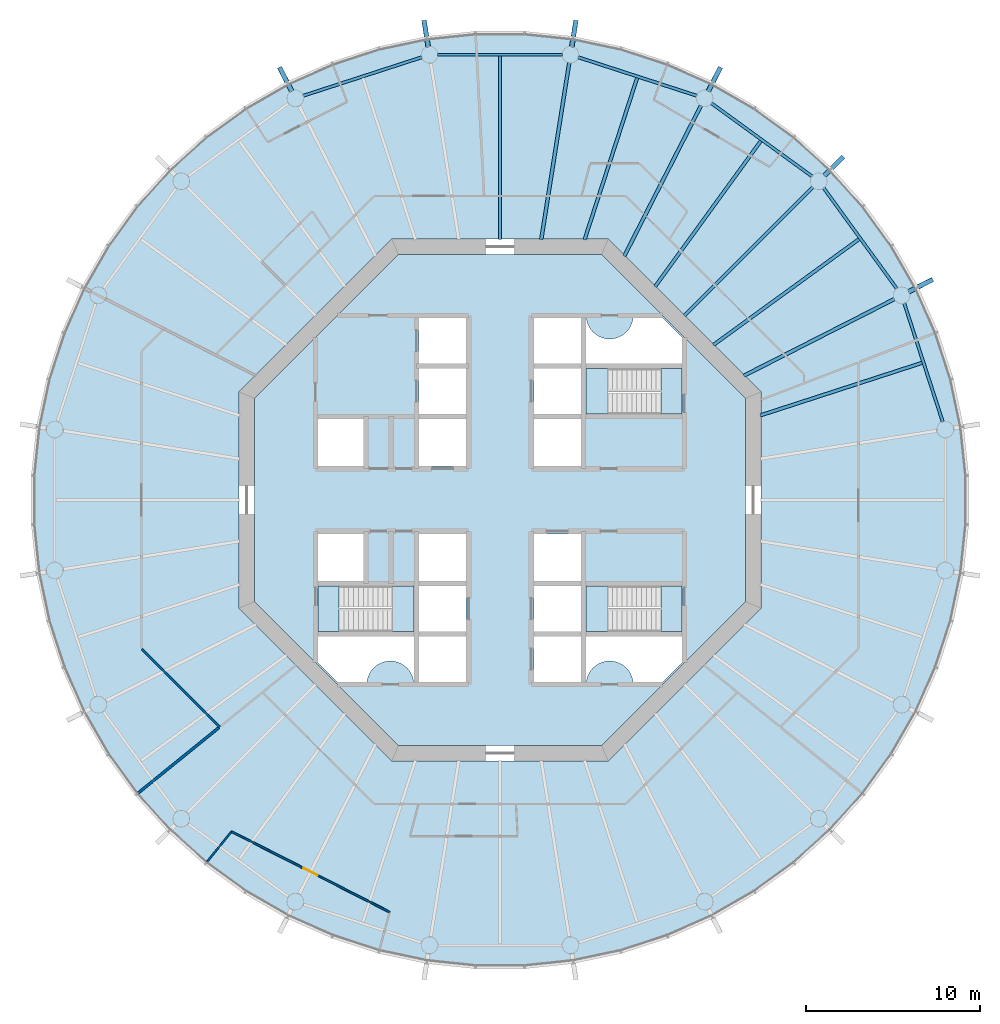
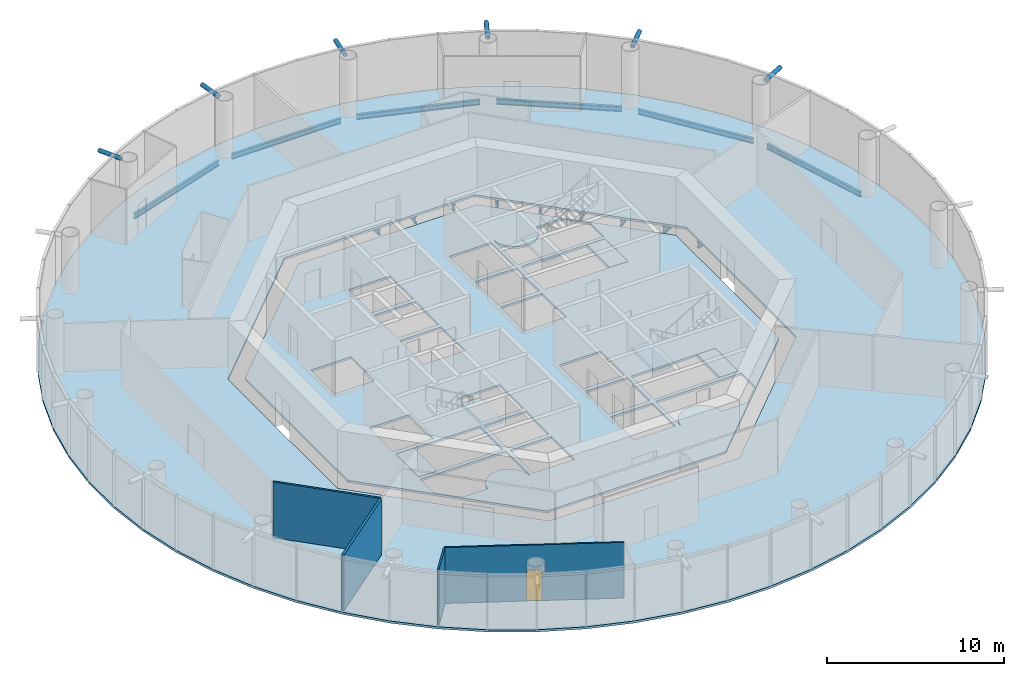
# One storey, part 2 of 12: 15 beams, 8 slabs, 6 members, 4 walls, 1 door, 1 opening, 3 elements without a shape of their own.
"""IFC4 building model written with IfcOpenShell, lengths in metres."""

from ifc_helpers import new_model, si_unit, direction, frame, frame_2d, origin, origin_2d, place, context, subcontext, project, spatial, polyline, rectangle, circle, hollow_circle, i_section, outline, extrude, material, layer, layer_set, material_profile, profile_set, type_object, element, fill, aggregate, save


model = new_model("IFC4")

# Units and contexts
model_context = context("Model", 3, precision=1e-05, world=origin(), true_north=direction((0.0, 1.0)))
body_context = subcontext(model_context, "Body", "Model", "MODEL_VIEW")
ifc_project = project(units=[si_unit("LENGTHUNIT", "METRE"), si_unit("AREAUNIT", "SQUARE_METRE"), si_unit("VOLUMEUNIT", "CUBIC_METRE"), si_unit("PLANEANGLEUNIT", "RADIAN"), si_unit("MASSUNIT", "GRAM", prefix="KILO")], contexts=[model_context])

# Site, building, storey
site_placement = place(None, origin())
site = spatial("IfcSite", under=ifc_project, at=site_placement, CompositionType="ELEMENT")
building_placement = place(site_placement, origin())
building = spatial("IfcBuilding", under=site, at=building_placement, Name="Entoto Ring Tower", CompositionType="ELEMENT")
storey_placement = place(building_placement, frame((0.0, 0.0, 246.0)))
storey = spatial("IfcBuildingStorey", under=building, at=storey_placement, Name="L56", CompositionType="ELEMENT", Elevation=246.0)

# Members
ifc_material_1 = material(Name="Steel S355", Category="steel")
ifc_material_profile_1 = material_profile(ifc_material_1, hollow_circle(Radius=0.136474609375, WallThickness=0.012451171875, at=origin_2d()), Name="CHS 273 x 12.5")
ifc_material_2 = material(Name="Concrete C60/75", Category="concrete")
ifc_material_profile_2 = material_profile(ifc_material_2, circle(Radius=0.1240234375, at=origin_2d()), Name="Concrete C60/75 infill")
ifc_profile_set_1 = profile_set([ifc_material_profile_1, ifc_material_profile_2], Name="Steel S355")
member_type = type_object("IfcMemberType", Name="Diagrid node strut 273 x 12.5", PredefinedType="STRUT", material=ifc_profile_set_1)
member_1_placement = place(storey_placement, frame((113.48779296875, 91.967529296875, 3.71337890625), z_axis=(0.891006809714, 0.453989939363, 0.0), x_axis=(-0.453989939363, 0.891006809714, 0.0)))
element("IfcMember", 1, at=member_1_placement, inside=storey, type_object=member_type, Name="DS2 strut ring 18 02", PredefinedType="STRUT", context=body_context, shape_type="SweptSolid", body=[
    extrude(hollow_circle(Radius=0.136474609375, WallThickness=0.012451171875, at=origin_2d()), origin(), (0.0, 0.0, 1.0), 1.5390625),
])
member_2_placement = place(storey_placement, frame((108.639892578125, 98.639892578125, 3.71337890625), z_axis=(0.707106781187, 0.707106781187, 0.0), x_axis=(-0.707106781187, 0.707106781187, 0.0)))
element("IfcMember", 2, at=member_2_placement, inside=storey, type_object=member_type, Name="DS2 strut ring 18 03", PredefinedType="STRUT", context=body_context, shape_type="SweptSolid", body=[
    extrude(hollow_circle(Radius=0.136474609375, WallThickness=0.012451171875, at=origin_2d()), origin(), (0.0, 0.0, 1.0), 1.539306640625),
])
for number, where, z_axis, x_axis, name in (
    (3, (101.967529296875, 103.48779296875, 3.71337890625), (0.453989939363, 0.891006809714, 0.0), (-0.891006809714, 0.453989939363, 0.0), "DS2 strut ring 18 04"),
    (4, (94.123779296875, 106.036376953125, 3.71337890625), (0.156418753192, 0.987690828979, 0.0), (-0.987690828979, 0.156418753192, 0.0), "DS2 strut ring 18 05"),
    (5, (85.876220703125, 106.036376953125, 3.71337890625), (-0.156418753192, 0.987690828979, 0.0), (-0.987690828979, -0.156418753192, 0.0), "DS2 strut ring 18 06"),
    (6, (78.032470703125, 103.48779296875, 3.71337890625), (-0.453989939363, 0.891006809714, 0.0), (-0.891006809714, -0.453989939363, 0.0), "DS2 strut ring 18 07"),
):
    element("IfcMember", number, at=place(storey_placement, frame(where, z_axis=z_axis, x_axis=x_axis)), inside=storey, type_object=member_type, Name=name, PredefinedType="STRUT", context=body_context, shape_type="SweptSolid", body=[
        extrude(hollow_circle(Radius=0.136474609375, WallThickness=0.012451171875, at=origin_2d()), origin(), (0.0, 0.0, 1.0), 1.5390625),
    ])

# Beams
ifc_material_3 = material(Name="Steel S355", Category="steel")
ifc_material_profile_3 = material_profile(ifc_material_3, i_section(OverallWidth=0.169921875, OverallDepth=0.360107421875, WebThickness=0.008056640625, FlangeThickness=0.0126953125, FilletRadius=0.01806640625, at=origin_2d()), Name="IPE 360")
ifc_profile_set_2 = profile_set([ifc_material_profile_3], Name="Steel S355")
beam_type_1 = type_object("IfcBeamType", Name="Edge beam IPE 360", PredefinedType="SPANDREL", material=ifc_profile_set_2)
beam_1_placement = place(storey_placement, frame((115.43505859375, 84.501220703125, -0.330078125), z_axis=(-0.309015118354, 0.951057125849, 0.0), x_axis=(-0.951057125849, -0.309015118354, 0.0)))
element("IfcBeam", 7, at=beam_1_placement, inside=storey, type_object=beam_type_1, Name="Edge beam L56 01", PredefinedType="SPANDREL", context=body_context, shape_type="SweptSolid", body=[
    extrude(i_section(OverallWidth=0.169921875, OverallDepth=0.360107421875, WebThickness=0.008056640625, FlangeThickness=0.0126953125, FilletRadius=0.01806640625, at=origin_2d()), origin(), (0.0, 0.0, 1.0), 7.157958984375),
])
for number, where, z_axis, x_axis, name in (
    (8, (112.79931640625, 92.140625, -0.330078125), (-0.587794432314, 0.809010324619, 0.0), (-0.809010324619, -0.587794432314, 0.0), "Edge beam L56 02"),
    (9, (107.931640625, 98.591796875, -0.330078125), (-0.809010324619, 0.587794432314, 0.0), (-0.587794432314, -0.809010324619, 0.0), "Edge beam L56 03"),
):
    element("IfcBeam", number, at=place(storey_placement, frame(where, z_axis=z_axis, x_axis=x_axis)), inside=storey, type_object=beam_type_1, Name=name, PredefinedType="SPANDREL", context=body_context, shape_type="SweptSolid", body=[
        extrude(i_section(OverallWidth=0.169921875, OverallDepth=0.360107421875, WebThickness=0.008056640625, FlangeThickness=0.0126953125, FilletRadius=0.01806640625, at=origin_2d()), origin(), (0.0, 0.0, 1.0), 7.158203125),
    ])
beam_2_placement = place(storey_placement, frame((101.308837890625, 103.22314453125, -0.330078125), z_axis=(-0.951057125849, 0.309015118354, 0.0), x_axis=(-0.309015118354, -0.951057125849, 0.0)))
element("IfcBeam", 10, at=beam_2_placement, inside=storey, type_object=beam_type_1, Name="Edge beam L56 04", PredefinedType="SPANDREL", context=body_context, shape_type="SweptSolid", body=[
    extrude(i_section(OverallWidth=0.169921875, OverallDepth=0.360107421875, WebThickness=0.008056640625, FlangeThickness=0.0126953125, FilletRadius=0.01806640625, at=origin_2d()), origin(), (0.0, 0.0, 1.0), 7.157958984375),
])
beam_3_placement = place(storey_placement, frame((93.5791015625, 105.5810546875, -0.330078125), z_axis=(-1.0, 0.0, 0.0), x_axis=(0.0, -1.0, 0.0)))
element("IfcBeam", 11, at=beam_3_placement, inside=storey, type_object=beam_type_1, Name="Edge beam L56 05", PredefinedType="SPANDREL", context=body_context, shape_type="SweptSolid", body=[
    extrude(i_section(OverallWidth=0.169921875, OverallDepth=0.360107421875, WebThickness=0.008056640625, FlangeThickness=0.0126953125, FilletRadius=0.01806640625, at=origin_2d()), origin(), (0.0, 0.0, 1.0), 7.158203125),
])
beam_4_placement = place(storey_placement, frame((85.498779296875, 105.43505859375, -0.330078125), z_axis=(-0.951057125849, -0.309015118354, 0.0), x_axis=(0.309015118354, -0.951057125849, 0.0)))
element("IfcBeam", 12, at=beam_4_placement, inside=storey, type_object=beam_type_1, Name="Edge beam L56 06", PredefinedType="SPANDREL", context=body_context, shape_type="SweptSolid", body=[
    extrude(i_section(OverallWidth=0.169921875, OverallDepth=0.360107421875, WebThickness=0.008056640625, FlangeThickness=0.0126953125, FilletRadius=0.01806640625, at=origin_2d()), origin(), (0.0, 0.0, 1.0), 7.157958984375),
])
ifc_material_4 = material(Name="Steel S355", Category="steel")
ifc_material_profile_4 = material_profile(ifc_material_4, i_section(OverallWidth=0.199951171875, OverallDepth=0.5, WebThickness=0.01025390625, FlangeThickness=0.01611328125, FilletRadius=0.02099609375, at=origin_2d()), Name="IPE 500")
ifc_profile_set_3 = profile_set([ifc_material_profile_4], Name="Steel S355")
beam_type_2 = type_object("IfcBeamType", Name="Primary floor beam IPE 500", PredefinedType="BEAM", material=ifc_profile_set_3)
beam_5_placement = place(storey_placement, frame((104.006103515625, 87.136474609375, -0.39990234375), z_axis=(0.891012442297, 0.45397888461, 0.0), x_axis=(-0.45397888461, 0.891012442297, 0.0)))
element("IfcBeam", 13, at=beam_5_placement, inside=storey, type_object=beam_type_2, Name="Primary L56 R02", PredefinedType="BEAM", context=body_context, shape_type="SweptSolid", body=[
    extrude(i_section(OverallWidth=0.199951171875, OverallDepth=0.5, WebThickness=0.01025390625, FlangeThickness=0.01611328125, FilletRadius=0.02099609375, at=origin_2d()), origin(), (0.0, 0.0, 1.0), 9.710693359375),
])
beam_6_placement = place(storey_placement, frame((100.592529296875, 90.592529296875, -0.39990234375), z_axis=(0.707106781187, 0.707106781187, 0.0), x_axis=(-0.707106781187, 0.707106781187, 0.0)))
element("IfcBeam", 14, at=beam_6_placement, inside=storey, type_object=beam_type_2, Name="Primary L56 R03", PredefinedType="BEAM", context=body_context, shape_type="SweptSolid", body=[
    extrude(i_section(OverallWidth=0.199951171875, OverallDepth=0.5, WebThickness=0.01025390625, FlangeThickness=0.01611328125, FilletRadius=0.02099609375, at=origin_2d()), origin(), (0.0, 0.0, 1.0), 10.4501953125),
])
beam_7_placement = place(storey_placement, frame((97.136474609375, 94.006103515625, -0.39990234375), z_axis=(0.45397888461, 0.891012442297, 0.0), x_axis=(-0.891012442297, 0.45397888461, 0.0)))
element("IfcBeam", 15, at=beam_7_placement, inside=storey, type_object=beam_type_2, Name="Primary L56 R04", PredefinedType="BEAM", context=body_context, shape_type="SweptSolid", body=[
    extrude(i_section(OverallWidth=0.199951171875, OverallDepth=0.5, WebThickness=0.01025390625, FlangeThickness=0.01611328125, FilletRadius=0.02099609375, at=origin_2d()), origin(), (0.0, 0.0, 1.0), 9.710693359375),
])
beam_8_placement = place(storey_placement, frame((92.3701171875, 94.964599609375, -0.39990234375), z_axis=(0.156451644281, 0.987685619518, 0.0), x_axis=(-0.987685619518, 0.156451644281, 0.0)))
element("IfcBeam", 16, at=beam_8_placement, inside=storey, type_object=beam_type_2, Name="Primary L56 R05", PredefinedType="BEAM", context=body_context, shape_type="SweptSolid", body=[
    extrude(i_section(OverallWidth=0.199951171875, OverallDepth=0.5, WebThickness=0.01025390625, FlangeThickness=0.01611328125, FilletRadius=0.02099609375, at=origin_2d()), origin(), (0.0, 0.0, 1.0), 10.27880859375),
])
ifc_material_5 = material(Name="Steel S355", Category="steel")
ifc_material_profile_5 = material_profile(ifc_material_5, i_section(OverallWidth=0.18994140625, OverallDepth=0.449951171875, WebThickness=0.009521484375, FlangeThickness=0.0146484375, FilletRadius=0.02099609375, at=origin_2d()), Name="IPE 450")
ifc_profile_set_4 = profile_set([ifc_material_profile_5], Name="Steel S355")
beam_type_3 = type_object("IfcBeamType", Name="Secondary floor beam IPE 450", PredefinedType="JOIST", material=ifc_profile_set_4)
beam_9_placement = place(storey_placement, frame((104.95166015625, 84.858154296875, -0.375), z_axis=(0.951061045963, 0.309003053144, 0.0), x_axis=(-0.309003053144, 0.951061045963, 0.0)))
element("IfcBeam", 17, at=beam_9_placement, inside=storey, type_object=beam_type_3, Name="Secondary beam L56 01", PredefinedType="JOIST", context=body_context, shape_type="SweptSolid", body=[
    extrude(i_section(OverallWidth=0.18994140625, OverallDepth=0.449951171875, WebThickness=0.009521484375, FlangeThickness=0.0146484375, FilletRadius=0.02099609375, at=origin_2d()), origin(), (0.0, 0.0, 1.0), 9.77490234375),
])
for number, where, z_axis, x_axis, name in (
    (18, (102.258056640625, 88.906005859375, -0.375), (0.809010538485, 0.58779413796, 0.0), (-0.58779413796, 0.809010538485, 0.0), "Secondary beam L56 02"),
    (19, (98.906005859375, 92.258056640625, -0.375), (0.58779413796, 0.809010538485, 0.0), (-0.809010538485, 0.58779413796, 0.0), "Secondary beam L56 03"),
):
    element("IfcBeam", number, at=place(storey_placement, frame(where, z_axis=z_axis, x_axis=x_axis)), inside=storey, type_object=beam_type_3, Name=name, PredefinedType="JOIST", context=body_context, shape_type="SweptSolid", body=[
        extrude(i_section(OverallWidth=0.18994140625, OverallDepth=0.449951171875, WebThickness=0.009521484375, FlangeThickness=0.0146484375, FilletRadius=0.02099609375, at=origin_2d()), origin(), (0.0, 0.0, 1.0), 10.34423828125),
    ])
beam_10_placement = place(storey_placement, frame((94.858154296875, 94.95166015625, -0.375), z_axis=(0.309003053144, 0.951061045963, 0.0), x_axis=(-0.951061045963, 0.309003053144, 0.0)))
element("IfcBeam", 20, at=beam_10_placement, inside=storey, type_object=beam_type_3, Name="Secondary beam L56 04", PredefinedType="JOIST", context=body_context, shape_type="SweptSolid", body=[
    extrude(i_section(OverallWidth=0.18994140625, OverallDepth=0.449951171875, WebThickness=0.009521484375, FlangeThickness=0.0146484375, FilletRadius=0.02099609375, at=origin_2d()), origin(), (0.0, 0.0, 1.0), 9.77490234375),
])
beam_11_placement = place(storey_placement, frame((90.0, 94.97998046875, -0.375), z_axis=(0.0, 1.0, 0.0), x_axis=(-1.0, 0.0, 0.0)))
element("IfcBeam", 21, at=beam_11_placement, inside=storey, type_object=beam_type_3, Name="Secondary beam L56 05", PredefinedType="JOIST", context=body_context, shape_type="SweptSolid", body=[
    extrude(i_section(OverallWidth=0.18994140625, OverallDepth=0.449951171875, WebThickness=0.009521484375, FlangeThickness=0.0146484375, FilletRadius=0.02099609375, at=origin_2d()), origin(), (0.0, 0.0, 1.0), 10.51611328125),
])

# Slabs
ifc_material_6 = material(Name="Concrete C30/37", Category="concrete")
ifc_layer_1 = layer(ifc_material_6, 0.14990234375)
ifc_layer_set_1 = layer_set([ifc_layer_1], Name="Concrete C30/37")
slab_type_1 = type_object("IfcSlabType", Name="Composite floor slab 150 mm", PredefinedType="FLOOR", material=ifc_layer_set_1)
slab_1_placement = place(storey_placement, frame((0.0, 0.0, -0.14990234375)))
element("IfcSlab", 22, at=slab_1_placement, inside=storey, type_object=slab_type_1, Name="Floor slab L56", PredefinedType="FLOOR", context=body_context, shape_type="SweptSolid", body=[
    extrude(outline(polyline([(116.56884765625, 84.2080078125), (115.9833984375, 86.962158203125), (115.11328125, 89.64013671875), (113.968017578125, 92.21240234375), (112.560302734375, 94.65087890625), (110.9052734375, 96.9287109375), (109.021240234375, 99.021240234375), (106.9287109375, 100.9052734375), (104.65087890625, 102.560302734375), (102.21240234375, 103.968017578125), (99.64013671875, 105.11328125), (96.962158203125, 105.9833984375), (94.2080078125, 106.56884765625), (91.407958984375, 106.863037109375), (88.592041015625, 106.863037109375), (85.7919921875, 106.56884765625), (83.037841796875, 105.9833984375), (80.35986328125, 105.11328125), (77.78759765625, 103.968017578125), (75.34912109375, 102.560302734375), (73.0712890625, 100.9052734375), (70.978759765625, 99.021240234375), (69.0947265625, 96.9287109375), (67.439697265625, 94.65087890625), (66.031982421875, 92.21240234375), (64.88671875, 89.64013671875), (64.0166015625, 86.962158203125), (63.43115234375, 84.2080078125), (63.136962890625, 81.407958984375), (63.136962890625, 78.592041015625), (63.43115234375, 75.7919921875), (64.0166015625, 73.037841796875), (64.88671875, 70.35986328125), (66.031982421875, 67.78759765625), (67.439697265625, 65.34912109375), (69.0947265625, 63.0712890625), (70.978759765625, 60.978759765625), (73.0712890625, 59.0947265625), (75.34912109375, 57.439697265625), (77.78759765625, 56.031982421875), (80.35986328125, 54.88671875), (83.037841796875, 54.0166015625), (85.7919921875, 53.43115234375), (88.592041015625, 53.136962890625), (91.407958984375, 53.136962890625), (94.2080078125, 53.43115234375), (96.962158203125, 54.0166015625), (99.64013671875, 54.88671875), (102.21240234375, 56.031982421875), (104.65087890625, 57.439697265625), (106.9287109375, 59.0947265625), (109.021240234375, 60.978759765625), (110.9052734375, 63.0712890625), (112.560302734375, 65.34912109375), (113.968017578125, 67.78759765625), (115.11328125, 70.35986328125), (115.9833984375, 73.037841796875), (116.56884765625, 75.7919921875), (116.863037109375, 78.592041015625), (116.863037109375, 81.407958984375), (116.56884765625, 84.2080078125)]), holes=[polyline([(105.0, 73.786865234375), (105.0, 86.213134765625), (96.213134765625, 95.0), (83.786865234375, 95.0), (75.0, 86.213134765625), (75.0, 73.786865234375), (83.786865234375, 65.0), (96.213134765625, 65.0), (105.0, 73.786865234375)])]), origin(), (0.0, 0.0, 1.0), 0.14990234375),
])
ifc_material_7 = material(Name="Concrete C40/50", Category="concrete")
ifc_layer_2 = layer(ifc_material_7, 0.14990234375)
ifc_layer_set_2 = layer_set([ifc_layer_2], Name="Concrete C40/50")
slab_type_2 = type_object("IfcSlabType", Name="Core floor slab 150 mm reinforced concrete C40/50", PredefinedType="FLOOR", material=ifc_layer_set_2)
slab_2_placement = place(storey_placement, frame((0.0, 0.0, -0.14990234375)))
element("IfcSlab", 23, at=slab_2_placement, inside=storey, type_object=slab_type_2, Name="Core floor L56", PredefinedType="FLOOR", context=body_context, shape_type="SweptSolid", body=[
    extrude(outline(polyline([(104.10009765625, 74.15966796875), (104.10009765625, 85.84033203125), (95.84033203125, 94.10009765625), (84.15966796875, 94.10009765625), (75.89990234375, 85.84033203125), (75.89990234375, 74.15966796875), (84.15966796875, 65.89990234375), (95.84033203125, 65.89990234375), (104.10009765625, 74.15966796875)]), holes=[polyline([(100.449951171875, 84.949951171875), (100.449951171875, 87.550048828125), (94.949951171875, 87.550048828125), (94.949951171875, 84.949951171875), (100.449951171875, 84.949951171875)]), polyline([(85.050048828125, 72.449951171875), (85.050048828125, 75.050048828125), (79.550048828125, 75.050048828125), (79.550048828125, 72.449951171875), (85.050048828125, 72.449951171875)]), polyline([(100.449951171875, 72.449951171875), (100.449951171875, 75.050048828125), (94.949951171875, 75.050048828125), (94.949951171875, 72.449951171875), (100.449951171875, 72.449951171875)]), polyline([(91.949951171875, 84.949951171875), (94.64990234375, 84.949951171875), (94.64990234375, 87.550048828125), (91.949951171875, 87.550048828125), (91.949951171875, 84.949951171875)]), polyline([(91.949951171875, 72.449951171875), (94.64990234375, 72.449951171875), (94.64990234375, 75.050048828125), (91.949951171875, 75.050048828125), (91.949951171875, 72.449951171875)]), polyline([(91.949951171875, 69.550048828125), (94.64990234375, 69.550048828125), (94.64990234375, 72.14990234375), (91.949951171875, 72.14990234375), (91.949951171875, 69.550048828125)]), polyline([(85.35009765625, 72.449951171875), (88.050048828125, 72.449951171875), (88.050048828125, 75.050048828125), (85.35009765625, 75.050048828125), (85.35009765625, 72.449951171875)]), polyline([(85.35009765625, 81.949951171875), (88.050048828125, 81.949951171875), (88.050048828125, 84.64990234375), (85.35009765625, 84.64990234375), (85.35009765625, 81.949951171875)]), polyline([(91.949951171875, 75.35009765625), (94.64990234375, 75.35009765625), (94.64990234375, 78.050048828125), (91.949951171875, 78.050048828125), (91.949951171875, 75.35009765625)]), polyline([(79.550048828125, 81.949951171875), (82.14990234375, 81.949951171875), (82.14990234375, 84.64990234375), (79.550048828125, 84.64990234375), (79.550048828125, 81.949951171875)]), polyline([(79.550048828125, 75.35009765625), (82.14990234375, 75.35009765625), (82.14990234375, 78.050048828125), (79.550048828125, 78.050048828125), (79.550048828125, 75.35009765625)]), polyline([(91.949951171875, 87.85009765625), (94.64990234375, 87.85009765625), (94.64990234375, 90.449951171875), (91.949951171875, 90.449951171875), (91.949951171875, 87.85009765625)]), polyline([(85.35009765625, 69.550048828125), (88.050048828125, 69.550048828125), (88.050048828125, 72.14990234375), (85.35009765625, 72.14990234375), (85.35009765625, 69.550048828125)]), polyline([(91.949951171875, 81.949951171875), (94.64990234375, 81.949951171875), (94.64990234375, 84.64990234375), (91.949951171875, 84.64990234375), (91.949951171875, 81.949951171875)]), polyline([(85.35009765625, 75.35009765625), (88.050048828125, 75.35009765625), (88.050048828125, 78.050048828125), (85.35009765625, 78.050048828125), (85.35009765625, 75.35009765625)]), polyline([(85.35009765625, 84.949951171875), (88.050048828125, 84.949951171875), (88.050048828125, 87.550048828125), (85.35009765625, 87.550048828125), (85.35009765625, 84.949951171875)]), polyline([(85.35009765625, 87.85009765625), (88.050048828125, 87.85009765625), (88.050048828125, 90.449951171875), (85.35009765625, 90.449951171875), (85.35009765625, 87.85009765625)]), polyline([(94.89990234375, 90.5), (94.89990234375, 87.800048828125), (100.5, 87.800048828125), (100.5, 89.299072265625), (99.299072265625, 90.5), (97.64501953125, 90.5), (97.6435546875, 90.4677734375), (97.6240234375, 90.336669921875), (97.591796875, 90.2080078125), (97.547119140625, 90.08349609375), (97.490478515625, 89.963623046875), (97.422607421875, 89.85009765625), (97.343505859375, 89.74365234375), (97.254638671875, 89.6455078125), (97.156494140625, 89.556396484375), (97.050048828125, 89.4775390625), (96.936279296875, 89.409423828125), (96.816650390625, 89.352783203125), (96.69189453125, 89.30810546875), (96.5634765625, 89.27587890625), (96.432373046875, 89.256591796875), (96.300048828125, 89.25), (96.167724609375, 89.256591796875), (96.03662109375, 89.27587890625), (95.908203125, 89.30810546875), (95.783447265625, 89.352783203125), (95.66357421875, 89.409423828125), (95.550048828125, 89.4775390625), (95.443603515625, 89.556396484375), (95.345458984375, 89.6455078125), (95.25634765625, 89.74365234375), (95.177490234375, 89.85009765625), (95.109375, 89.963623046875), (95.052734375, 90.08349609375), (95.008056640625, 90.2080078125), (94.975830078125, 90.336669921875), (94.95654296875, 90.4677734375), (94.954833984375, 90.5), (94.89990234375, 90.5)]), polyline([(79.5, 70.700927734375), (80.700927734375, 69.5), (82.35498046875, 69.5), (82.3564453125, 69.5322265625), (82.3759765625, 69.663330078125), (82.408203125, 69.7919921875), (82.452880859375, 69.91650390625), (82.509521484375, 70.036376953125), (82.577392578125, 70.14990234375), (82.656494140625, 70.25634765625), (82.745361328125, 70.3544921875), (82.843505859375, 70.443603515625), (82.949951171875, 70.5224609375), (83.063720703125, 70.590576171875), (83.183349609375, 70.647216796875), (83.30810546875, 70.69189453125), (83.4365234375, 70.72412109375), (83.567626953125, 70.743408203125), (83.699951171875, 70.75), (83.832275390625, 70.743408203125), (83.96337890625, 70.72412109375), (84.091796875, 70.69189453125), (84.216552734375, 70.647216796875), (84.33642578125, 70.590576171875), (84.449951171875, 70.5224609375), (84.556396484375, 70.443603515625), (84.654541015625, 70.3544921875), (84.74365234375, 70.25634765625), (84.822509765625, 70.14990234375), (84.890625, 70.036376953125), (84.947265625, 69.91650390625), (84.991943359375, 69.7919921875), (85.024169921875, 69.663330078125), (85.04345703125, 69.5322265625), (85.045166015625, 69.5), (85.10009765625, 69.5), (85.10009765625, 72.199951171875), (79.5, 72.199951171875), (79.5, 70.700927734375)]), polyline([(97.64501953125, 69.5), (99.299072265625, 69.5), (100.5, 70.700927734375), (100.5, 72.199951171875), (94.89990234375, 72.199951171875), (94.89990234375, 69.5), (94.954833984375, 69.5), (94.95654296875, 69.5322265625), (94.975830078125, 69.663330078125), (95.008056640625, 69.7919921875), (95.052734375, 69.91650390625), (95.109375, 70.036376953125), (95.177490234375, 70.14990234375), (95.25634765625, 70.25634765625), (95.345458984375, 70.3544921875), (95.443603515625, 70.443603515625), (95.550048828125, 70.5224609375), (95.66357421875, 70.590576171875), (95.783447265625, 70.647216796875), (95.908203125, 70.69189453125), (96.03662109375, 70.72412109375), (96.167724609375, 70.743408203125), (96.300048828125, 70.75), (96.432373046875, 70.743408203125), (96.5634765625, 70.72412109375), (96.69189453125, 70.69189453125), (96.816650390625, 70.647216796875), (96.936279296875, 70.590576171875), (97.050048828125, 70.5224609375), (97.156494140625, 70.443603515625), (97.254638671875, 70.3544921875), (97.343505859375, 70.25634765625), (97.422607421875, 70.14990234375), (97.490478515625, 70.036376953125), (97.547119140625, 69.91650390625), (97.591796875, 69.7919921875), (97.6240234375, 69.663330078125), (97.6435546875, 69.5322265625), (97.64501953125, 69.5)])]), origin(), (0.0, 0.0, 1.0), 0.14990234375),
])

# Stair, slabs
ifc_material_8 = material(Name="Concrete C40/50", Category="concrete")
stair_type = type_object("IfcStairType", Name="Exit stair 1200 mm dog-leg reinforced concrete", PredefinedType="HALF_TURN_STAIR", material=ifc_material_8)
stair_1_placement = place(storey_placement, origin())
stair_1 = element("IfcStair", 24, at=stair_1_placement, inside=storey, type_object=stair_type, Name="Exit stair 1", PredefinedType="HALF_TURN_STAIR")
ifc_material_9 = material(Name="Concrete C40/50", Category="concrete")
ifc_layer_3 = layer(ifc_material_9, 0.199951171875)
ifc_layer_set_3 = layer_set([ifc_layer_3], Name="Concrete C40/50")
slab_type_3 = type_object("IfcSlabType", Name="Stair landing 200 mm reinforced concrete", PredefinedType="LANDING", material=ifc_layer_set_3)
slab_3_placement = place(storey_placement, frame((0.0, 0.0, -0.199951171875)))
slab_3 = element("IfcSlab", 25, at=slab_3_placement, type_object=slab_type_3, Name="ST1 landing 1", PredefinedType="LANDING", context=body_context, shape_type="SweptSolid", body=[
    extrude(outline(polyline([(100.449951171875, 84.949951171875), (100.449951171875, 87.550048828125), (99.25, 87.550048828125), (99.25, 84.949951171875), (100.449951171875, 84.949951171875)])), origin(), (0.0, 0.0, 1.0), 0.199951171875),
])
slab_4_placement = place(storey_placement, frame((0.0, 0.0, 1.800048828125)))
slab_4 = element("IfcSlab", 26, at=slab_4_placement, type_object=slab_type_3, Name="ST1 landing 2", PredefinedType="LANDING", context=body_context, shape_type="SweptSolid", body=[
    extrude(outline(polyline([(94.949951171875, 84.949951171875), (96.169921875, 84.949951171875), (96.169921875, 87.550048828125), (94.949951171875, 87.550048828125), (94.949951171875, 84.949951171875)])), origin(), (0.0, 0.0, 1.0), 0.199951171875),
])
aggregate(stair_1, [slab_3, slab_4])

stair_2_placement = place(storey_placement, origin())
stair_2 = element("IfcStair", 27, at=stair_2_placement, inside=storey, type_object=stair_type, Name="Exit stair 2", PredefinedType="HALF_TURN_STAIR")
slab_5_placement = place(storey_placement, frame((0.0, 0.0, -0.199951171875)))
slab_5 = element("IfcSlab", 28, at=slab_5_placement, type_object=slab_type_3, Name="ST2 landing 1", PredefinedType="LANDING", context=body_context, shape_type="SweptSolid", body=[
    extrude(outline(polyline([(80.75, 72.449951171875), (80.75, 75.050048828125), (79.550048828125, 75.050048828125), (79.550048828125, 72.449951171875), (80.75, 72.449951171875)])), origin(), (0.0, 0.0, 1.0), 0.199951171875),
])
slab_6_placement = place(storey_placement, frame((0.0, 0.0, 1.800048828125)))
slab_6 = element("IfcSlab", 29, at=slab_6_placement, type_object=slab_type_3, Name="ST2 landing 2", PredefinedType="LANDING", context=body_context, shape_type="SweptSolid", body=[
    extrude(outline(polyline([(83.830078125, 72.449951171875), (85.050048828125, 72.449951171875), (85.050048828125, 75.050048828125), (83.830078125, 75.050048828125), (83.830078125, 72.449951171875)])), origin(), (0.0, 0.0, 1.0), 0.199951171875),
])
aggregate(stair_2, [slab_5, slab_6])

stair_3_placement = place(storey_placement, origin())
stair_3 = element("IfcStair", 30, at=stair_3_placement, inside=storey, type_object=stair_type, Name="Exit stair 3", PredefinedType="HALF_TURN_STAIR")
slab_7_placement = place(storey_placement, frame((0.0, 0.0, -0.199951171875)))
slab_7 = element("IfcSlab", 31, at=slab_7_placement, type_object=slab_type_3, Name="ST3 landing 1", PredefinedType="LANDING", context=body_context, shape_type="SweptSolid", body=[
    extrude(outline(polyline([(100.449951171875, 72.449951171875), (100.449951171875, 75.050048828125), (99.25, 75.050048828125), (99.25, 72.449951171875), (100.449951171875, 72.449951171875)])), origin(), (0.0, 0.0, 1.0), 0.199951171875),
])
slab_8_placement = place(storey_placement, frame((0.0, 0.0, 1.800048828125)))
slab_8 = element("IfcSlab", 32, at=slab_8_placement, type_object=slab_type_3, Name="ST3 landing 2", PredefinedType="LANDING", context=body_context, shape_type="SweptSolid", body=[
    extrude(outline(polyline([(94.949951171875, 72.449951171875), (96.169921875, 72.449951171875), (96.169921875, 75.050048828125), (94.949951171875, 75.050048828125), (94.949951171875, 72.449951171875)])), origin(), (0.0, 0.0, 1.0), 0.199951171875),
])
aggregate(stair_3, [slab_7, slab_8])

# Wall
ifc_material_10 = material(Name="Fire-resisting plasterboard on steel studs", Category="steel")
ifc_layer_4 = layer(ifc_material_10, 0.125)
ifc_layer_set_4 = layer_set([ifc_layer_4], Name="Fire-resisting plasterboard on steel studs")
wall_type_1 = type_object("IfcWallType", Name="Corridor wall 125 mm one-hour plasterboard on steel studs", PredefinedType="PARTITIONING", material=ifc_layer_set_4)
wall_1_placement = place(storey_placement, frame((73.902587890625, 66.964599609375, 0.0), z_axis=(0.0, 0.0, 1.0), x_axis=(-0.707106781187, 0.707106781187, 0.0)))
element("IfcWall", 33, at=wall_1_placement, inside=storey, type_object=wall_type_1, Name="partition-L56-009", PredefinedType="PARTITIONING", context=body_context, shape_type="SweptSolid", body=[
    extrude(rectangle(XDim=6.323486328125, YDim=0.125, at=frame_2d((3.16162109375, 0.0))), origin(), (0.0, 0.0, 1.0), 3.85009765625),
])

# Wall, opening, door
ifc_material_11 = material(Name="Plasterboard on steel studs", Category="steel")
ifc_layer_5 = layer(ifc_material_11, 0.10009765625)
ifc_layer_set_5 = layer_set([ifc_layer_5], Name="Plasterboard on steel studs")
wall_type_2 = type_object("IfcWallType", Name="Partition 100 mm plasterboard on steel studs", PredefinedType="PARTITIONING", material=ifc_layer_set_5)
wall_2_placement = place(storey_placement, frame((83.65625, 56.3251953125, 0.0), z_axis=(0.0, 0.0, 1.0), x_axis=(-0.891004577404, 0.453994320499, 0.0)))
wall_2 = element("IfcWall", 34, at=wall_2_placement, inside=storey, type_object=wall_type_2, Name="partition-L56-022", PredefinedType="PARTITIONING", context=body_context, shape_type="SweptSolid", body=[
    extrude(rectangle(XDim=10.191650390625, YDim=0.10009765625, at=frame_2d((5.095703125, 0.0))), origin(), (0.0, 0.0, 1.0), 3.85009765625),
])
opening_placement = place(wall_2_placement, frame((4.64599609375, 0.0, 0.0)))
opening = element("IfcOpeningElement", 35, at=opening_placement, cuts=wall_2, Name="Opening A24-D13", PredefinedType="OPENING", context=body_context, shape_type="SweptSolid", body=[
    extrude(rectangle(XDim=0.89990234375, YDim=2.10009765625, at=frame_2d((0.449951171875, 1.050048828125))), frame((0.0, 0.06005859375, 0.0), z_axis=(0.0, -1.0, 0.0), x_axis=(1.0, 0.0, 0.0)), (0.0, 0.0, 1.0), 0.1201171875),
])
ifc_material_12 = material(Name="Veneered timber door leaf in timber frame", Category="wood")
door_type = type_object("IfcDoorType", Name="Door 900 x 2100 single leaf timber veneer", OperationType="NOTDEFINED", PredefinedType="DOOR", material=ifc_material_12)
door_placement = place(opening_placement, origin())
door = element("IfcDoor", 36, at=door_placement, inside=storey, type_object=door_type, Name="Door A24-D13", OperationType="SINGLE_SWING_RIGHT", OverallHeight=2.10009765625, OverallWidth=0.89990234375, PredefinedType="DOOR", context=body_context, shape_type="SweptSolid", body=[
    extrude(rectangle(XDim=0.89990234375, YDim=2.10009765625, at=frame_2d((0.449951171875, 1.050048828125))), frame((0.0, 0.02490234375, 0.0), z_axis=(0.0, -1.0, 0.0), x_axis=(1.0, 0.0, 0.0)), (0.0, 0.0, 1.0), 0.050048828125),
])
fill(opening, door)

# Walls
wall_3_placement = place(storey_placement, frame((73.172119140625, 59.218994140625, 0.0), z_axis=(0.0, 0.0, 1.0), x_axis=(0.629243304322, 0.777208378729, 0.0)))
element("IfcWall", 37, at=wall_3_placement, inside=storey, type_object=wall_type_2, Name="partition-L56-032", PredefinedType="PARTITIONING", context=body_context, shape_type="SweptSolid", body=[
    extrude(rectangle(XDim=2.181396484375, YDim=0.10009765625, at=frame_2d((1.0908203125, 0.0))), origin(), (0.0, 0.0, 1.0), 3.85009765625),
])
ifc_material_13 = material(Name="Fire-resisting acoustic plasterboard on steel studs", Category="steel")
ifc_layer_6 = layer(ifc_material_13, 0.14990234375)
ifc_layer_set_6 = layer_set([ifc_layer_6], Name="Fire-resisting acoustic plasterboard on steel studs")
wall_type_3 = type_object("IfcWallType", Name="Party wall 150 mm one-hour acoustic plasterboard on steel studs", PredefinedType="PARTITIONING", material=ifc_layer_set_6)
wall_4_placement = place(storey_placement, frame((69.218994140625, 63.172119140625, 0.0), z_axis=(0.0, 0.0, 1.0), x_axis=(0.777159904302, 0.62930317268, 0.0)))
element("IfcWall", 38, at=wall_4_placement, inside=storey, type_object=wall_type_3, Name="partition-L56-018", PredefinedType="PARTITIONING", context=body_context, shape_type="SweptSolid", body=[
    extrude(rectangle(XDim=5.955810546875, YDim=0.14990234375, at=frame_2d((2.97802734375, 0.0))), origin(), (0.0, 0.0, 1.0), 3.85009765625),
])

save(model, "model.ifc")
